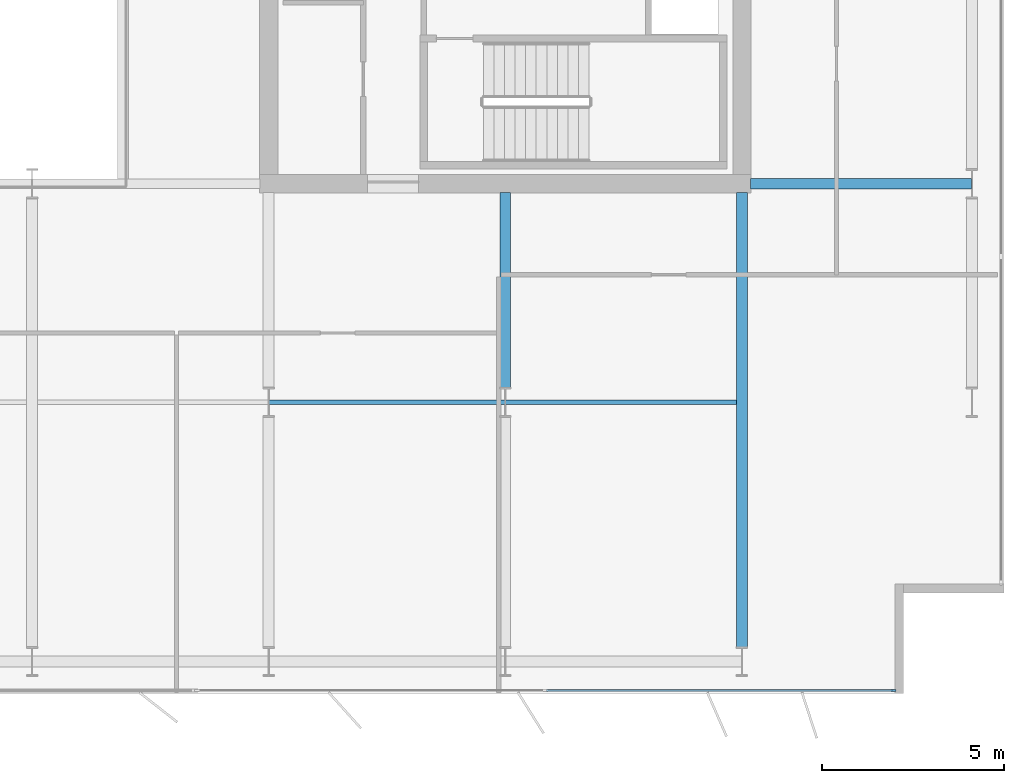
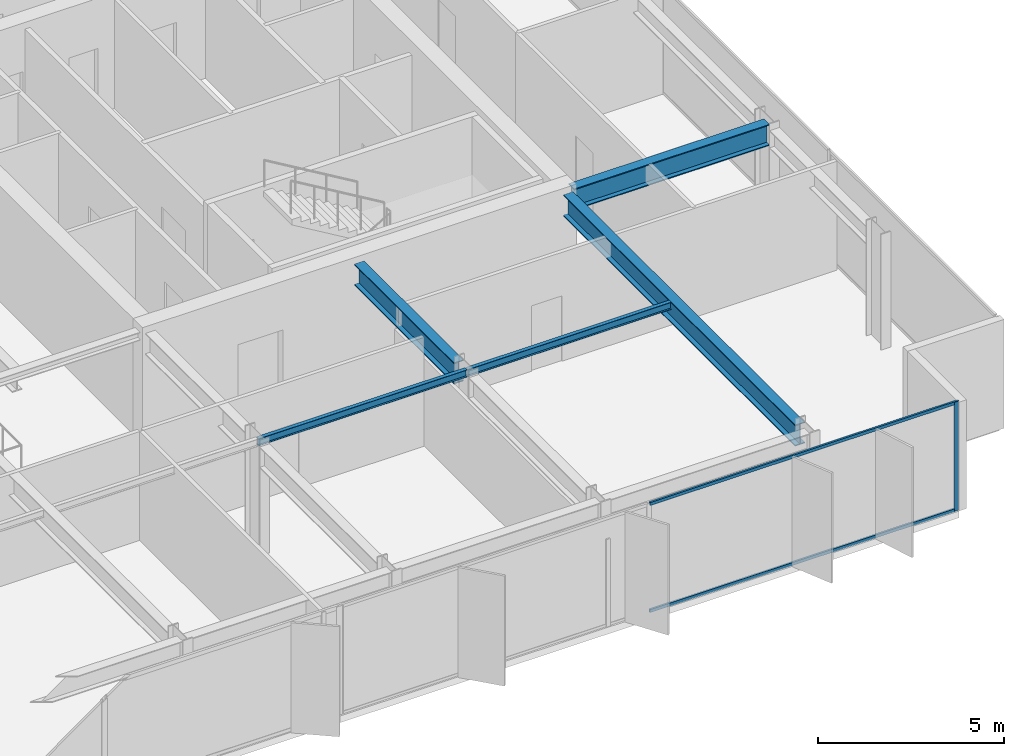
# One storey, part 8 of 23: 5 beams, 3 members, 1 element without a shape of its own.
"""IFC4 building model written with IfcOpenShell, lengths in metres."""

from ifc_helpers import new_model, si_unit, direction, frame, origin, origin_2d, place, context, subcontext, project, spatial, rectangle, i_section, extrude, material, layer, layer_set, material_profile, profile_set, type_object, element, aggregate, save


model = new_model("IFC4")

# Units and contexts
model_context = context("Model", 3, precision=1e-05, world=origin(), true_north=direction((0.0, 1.0)))
body_context = subcontext(model_context, "Body", "Model", "MODEL_VIEW")
ifc_project = project(units=[si_unit("LENGTHUNIT", "METRE"), si_unit("AREAUNIT", "SQUARE_METRE"), si_unit("VOLUMEUNIT", "CUBIC_METRE"), si_unit("PLANEANGLEUNIT", "RADIAN"), si_unit("MASSUNIT", "GRAM", prefix="KILO")], contexts=[model_context])

# Site, building, storey
site_placement = place(None, origin())
site = spatial("IfcSite", under=ifc_project, at=site_placement, CompositionType="ELEMENT")
building_placement = place(site_placement, origin())
building = spatial("IfcBuilding", under=site, at=building_placement, Name="Putna Gate Headquarters", CompositionType="ELEMENT")
storey_placement = place(building_placement, frame((0.0, 0.0, 210.0)))
storey = spatial("IfcBuildingStorey", under=building, at=storey_placement, Name="L52", CompositionType="ELEMENT", Elevation=210.0)

# Beams
ifc_material_1 = material(Name="Steel S355J2", Category="steel")
ifc_material_profile_1 = material_profile(ifc_material_1, i_section(OverallWidth=0.300048828125, OverallDepth=0.699951171875, WebThickness=0.01708984375, FlangeThickness=0.031982421875, at=origin_2d()), Name="Steel S355J2")
ifc_profile_set_1 = profile_set([ifc_material_profile_1], Name="Steel S355J2")
beam_type_1 = type_object("IfcBeamType", Name="BM-GIRD-B-HEB700", PredefinedType="USERDEFINED", material=ifc_profile_set_1)
beam_1_placement = place(storey_placement, frame((65.235107421875, 19.0, 3.22998046875), z_axis=(1.0, 0.0, 0.0), x_axis=(0.0, 1.0, 0.0)))
element("IfcBeam", 1, at=beam_1_placement, inside=storey, type_object=beam_type_1, Name="L52 East Wing Girder Y19", ObjectType="GIRDER", PredefinedType="USERDEFINED", context=body_context, shape_type="SweptSolid", body=[
    extrude(i_section(OverallWidth=0.300048828125, OverallDepth=0.699951171875, WebThickness=0.01708984375, FlangeThickness=0.031982421875, at=origin_2d()), origin(), (0.0, 0.0, 1.0), 6.078857421875),
])
beam_2_placement = place(storey_placement, frame((58.5, 13.39501953125, 3.22998046875), z_axis=(0.0, 1.0, 0.0), x_axis=(-1.0, 0.0, 0.0)))
element("IfcBeam", 2, at=beam_2_placement, inside=storey, type_object=beam_type_1, Name="L52 South Primary Girder X58-2", ObjectType="GIRDER", PredefinedType="USERDEFINED", context=body_context, shape_type="SweptSolid", body=[
    extrude(i_section(OverallWidth=0.300048828125, OverallDepth=0.699951171875, WebThickness=0.01708984375, FlangeThickness=0.031982421875, at=origin_2d()), origin(), (0.0, 0.0, 1.0), 5.369873046875),
])
beam_3_placement = place(storey_placement, frame((65.0, 6.27490234375, 3.22998046875), z_axis=(0.0, 1.0, 0.0), x_axis=(-1.0, 0.0, 0.0)))
element("IfcBeam", 3, at=beam_3_placement, inside=storey, type_object=beam_type_1, Name="L52 South Primary Girder X65", ObjectType="GIRDER", PredefinedType="USERDEFINED", context=body_context, shape_type="SweptSolid", body=[
    extrude(i_section(OverallWidth=0.300048828125, OverallDepth=0.699951171875, WebThickness=0.01708984375, FlangeThickness=0.031982421875, at=origin_2d()), origin(), (0.0, 0.0, 1.0), 12.489990234375),
])
ifc_material_profile_2 = material_profile(ifc_material_1, i_section(OverallWidth=0.1201171875, OverallDepth=0.239990234375, WebThickness=0.006103515625, FlangeThickness=0.009765625, at=origin_2d()), Name="Steel S355J2")
ifc_profile_set_2 = profile_set([ifc_material_profile_2], Name="Steel S355J2")
beam_type_2 = type_object("IfcBeamType", Name="BM-SEC-Z4-IPE240", PredefinedType="JOIST", material=ifc_profile_set_2)
beam_4_placement = place(storey_placement, frame((52.006103515625, 13.0, 3.4599609375), z_axis=(1.0, 0.0, 0.0), x_axis=(0.0, 1.0, 0.0)))
element("IfcBeam", 4, at=beam_4_placement, inside=storey, type_object=beam_type_2, Name="L52 South Secondary Beam 7", PredefinedType="JOIST", context=body_context, shape_type="SweptSolid", body=[
    extrude(i_section(OverallWidth=0.1201171875, OverallDepth=0.239990234375, WebThickness=0.006103515625, FlangeThickness=0.009765625, at=origin_2d()), origin(), (0.0, 0.0, 1.0), 6.48779296875),
])
beam_5_placement = place(storey_placement, frame((58.506103515625, 13.0, 3.4599609375), z_axis=(1.0, 0.0, 0.0), x_axis=(0.0, 1.0, 0.0)))
element("IfcBeam", 5, at=beam_5_placement, inside=storey, type_object=beam_type_2, Name="L52 South Secondary Beam 8", PredefinedType="JOIST", context=body_context, shape_type="SweptSolid", body=[
    extrude(i_section(OverallWidth=0.1201171875, OverallDepth=0.239990234375, WebThickness=0.006103515625, FlangeThickness=0.009765625, at=origin_2d()), origin(), (0.0, 0.0, 1.0), 6.33984375),
])

# Curtain wall, members
ifc_material_2 = material(Name="Anodised bronze aluminium curtain wall", Category="aluminium")
ifc_layer = layer(ifc_material_2, 0.139892578125)
ifc_layer_set = layer_set([ifc_layer], Name="Anodised bronze aluminium curtain wall")
curtain_wall_type = type_object("IfcCurtainWallType", Name="CW-SYS-Z4", PredefinedType="USERDEFINED", material=ifc_layer_set)
curtain_wall_placement = place(storey_placement, origin())
curtain_wall = element("IfcCurtainWall", 6, at=curtain_wall_placement, inside=storey, type_object=curtain_wall_type, Name="L52 South East Curtain Wall", ObjectType="STICK CURTAIN WALL", PredefinedType="USERDEFINED")
ifc_material_3 = material(Name="Anodised bronze aluminium EN AW-6060", Category="aluminium")
ifc_material_profile_3 = material_profile(ifc_material_3, rectangle(XDim=0.06005859375, YDim=0.139892578125, at=origin_2d()), Name="Anodised bronze aluminium EN AW-6060")
ifc_profile_set_3 = profile_set([ifc_material_profile_3], Name="Anodised bronze aluminium EN AW-6060")
member_type_1 = type_object("IfcMemberType", Name="MULL-CWM-4", PredefinedType="MULLION", material=ifc_profile_set_3)
member_1_placement = place(storey_placement, frame((69.169921875, 5.080078125, 0.0), z_axis=(0.0, 0.0, 1.0), x_axis=(0.0, 1.0, 0.0)))
member_1 = element("IfcMember", 7, at=member_1_placement, type_object=member_type_1, Name="CWS-4 mullion 3", PredefinedType="MULLION", context=body_context, shape_type="SweptSolid", body=[
    extrude(rectangle(XDim=0.06005859375, YDim=0.139892578125, at=origin_2d()), origin(), (0.0, 0.0, 1.0), 3.580078125),
])
ifc_material_profile_4 = material_profile(ifc_material_3, rectangle(XDim=0.06005859375, YDim=0.10009765625, at=origin_2d()), Name="Anodised bronze aluminium EN AW-6060")
ifc_profile_set_4 = profile_set([ifc_material_profile_4], Name="Anodised bronze aluminium EN AW-6060")
member_type_2 = type_object("IfcMemberType", Name="TRAN-CWT-4", PredefinedType="USERDEFINED", material=ifc_profile_set_4)
member_2_placement = place(storey_placement, frame((59.6298828125, 5.080078125, 0.030029296875), z_axis=(1.0, 0.0, 0.0), x_axis=(0.0, 1.0, 0.0)))
member_2 = element("IfcMember", 8, at=member_2_placement, type_object=member_type_2, Name="CWS-4 transom 2.1", ObjectType="TRANSOM", PredefinedType="USERDEFINED", context=body_context, shape_type="SweptSolid", body=[
    extrude(rectangle(XDim=0.06005859375, YDim=0.10009765625, at=origin_2d()), origin(), (0.0, 0.0, 1.0), 9.510009765625),
])
member_3_placement = place(storey_placement, frame((59.6298828125, 5.080078125, 3.550048828125), z_axis=(1.0, 0.0, 0.0), x_axis=(0.0, 1.0, 0.0)))
member_3 = element("IfcMember", 9, at=member_3_placement, type_object=member_type_2, Name="CWS-4 transom 2.2", ObjectType="TRANSOM", PredefinedType="USERDEFINED", context=body_context, shape_type="SweptSolid", body=[
    extrude(rectangle(XDim=0.06005859375, YDim=0.10009765625, at=origin_2d()), origin(), (0.0, 0.0, 1.0), 9.510009765625),
])
aggregate(curtain_wall, [member_1, member_2, member_3])

save(model, "model.ifc")
